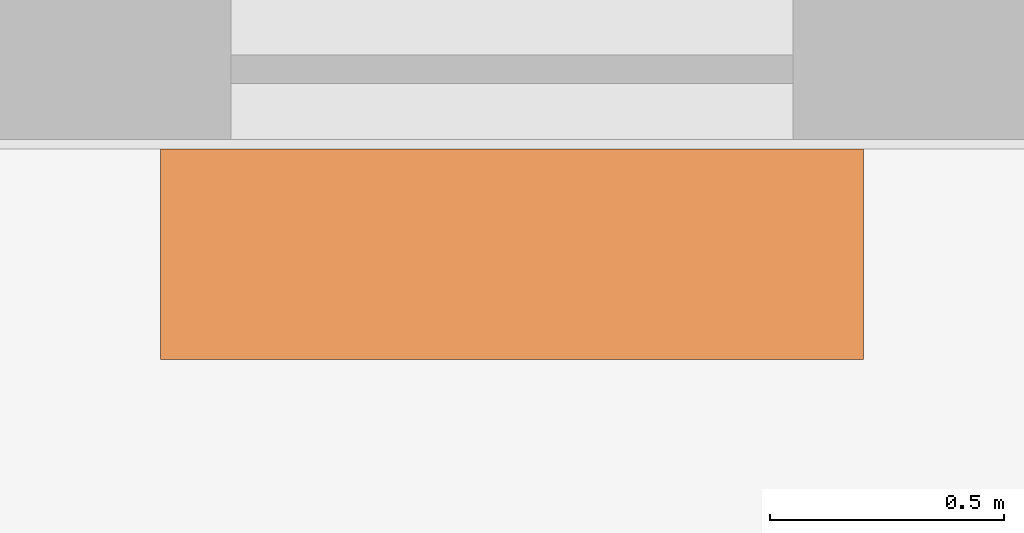
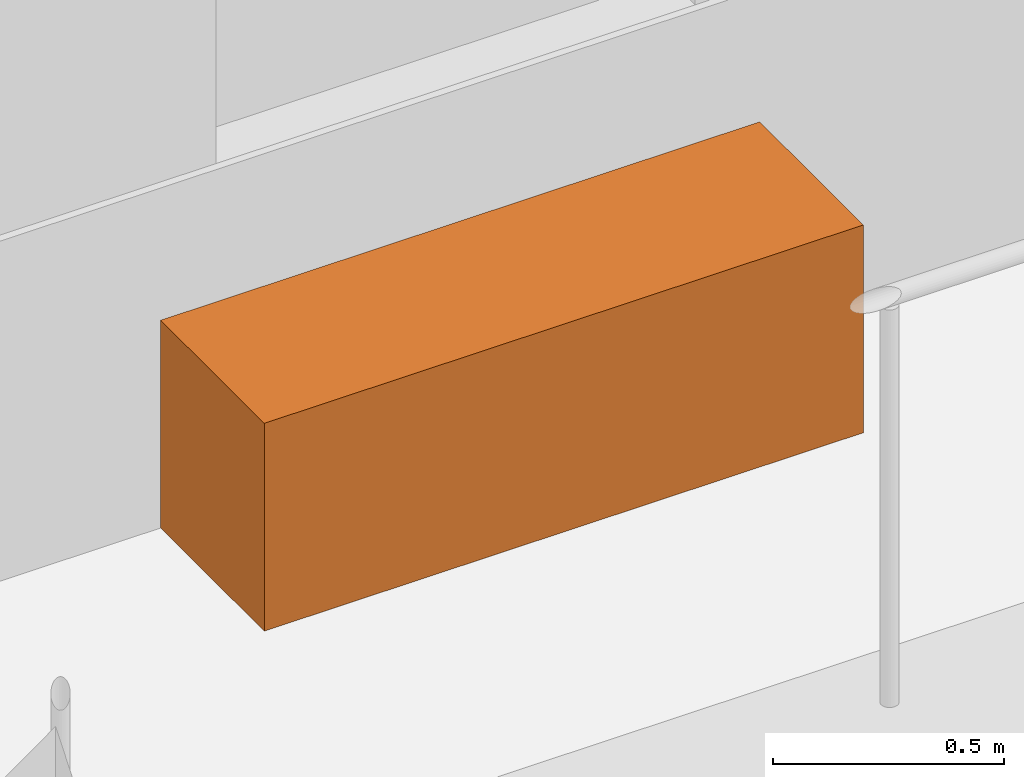
# One storey, part 13 of 13: 1 proxy.
"""IFC4 building model written with IfcOpenShell, lengths in metres."""

from ifc_helpers import new_model, si_unit, direction, frame, origin, origin_2d, place, context, subcontext, project, spatial, rectangle, extrude, element, save


model = new_model("IFC4")

# Units and contexts
model_context = context("Model", 3, precision=1e-05, world=origin(), true_north=direction((0.0, 1.0)))
body_context = subcontext(model_context, "Body", "Model", "MODEL_VIEW")
ifc_project = project(units=[si_unit("LENGTHUNIT", "METRE"), si_unit("AREAUNIT", "SQUARE_METRE"), si_unit("VOLUMEUNIT", "CUBIC_METRE"), si_unit("PLANEANGLEUNIT", "RADIAN"), si_unit("MASSUNIT", "GRAM", prefix="KILO")], contexts=[model_context])

# Site, building, storey
site_placement = place(None, origin())
site = spatial("IfcSite", under=ifc_project, at=site_placement, CompositionType="ELEMENT")
building_placement = place(site_placement, origin())
building = spatial("IfcBuilding", under=site, at=building_placement, Name="Candeia Pilgrim Tower and Theatre", CompositionType="ELEMENT")
storey_placement = place(building_placement, frame((0.0, 0.0, 170.0)))
storey = spatial("IfcBuildingStorey", under=building, at=storey_placement, Name="L40", CompositionType="ELEMENT", Elevation=170.0)

# Proxy
proxy_placement = place(storey_placement, frame((102.89990234375, 99.2548828125, 0.0), z_axis=(0.0, 0.0, 1.0), x_axis=(1.0, 0.0, 0.0)))
element("IfcBuildingElementProxy", 1, at=proxy_placement, inside=storey, Name="Planter", ObjectType="PLANTER", PredefinedType="USERDEFINED", context=body_context, shape_type="SweptSolid", body=[
    extrude(rectangle(XDim=1.5, YDim=0.449951171875, at=origin_2d()), origin(), (0.0, 0.0, 1.0), 0.550048828125),
])

save(model, "model.ifc")
